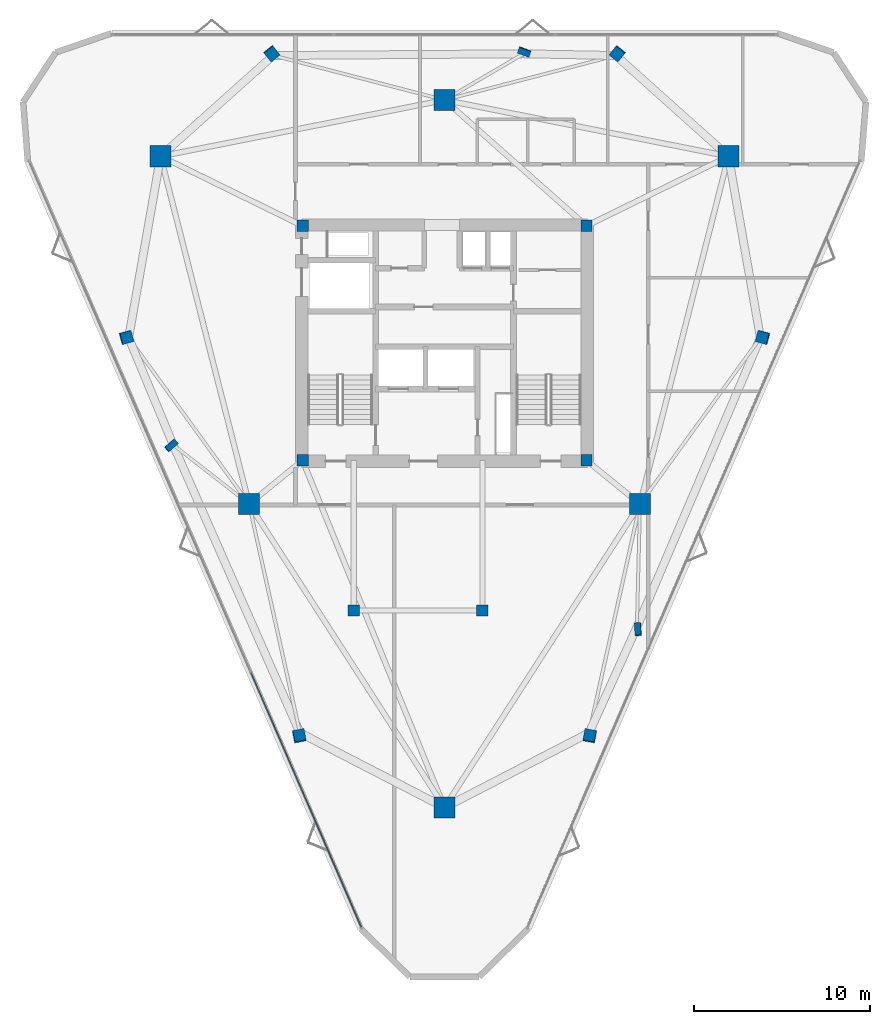
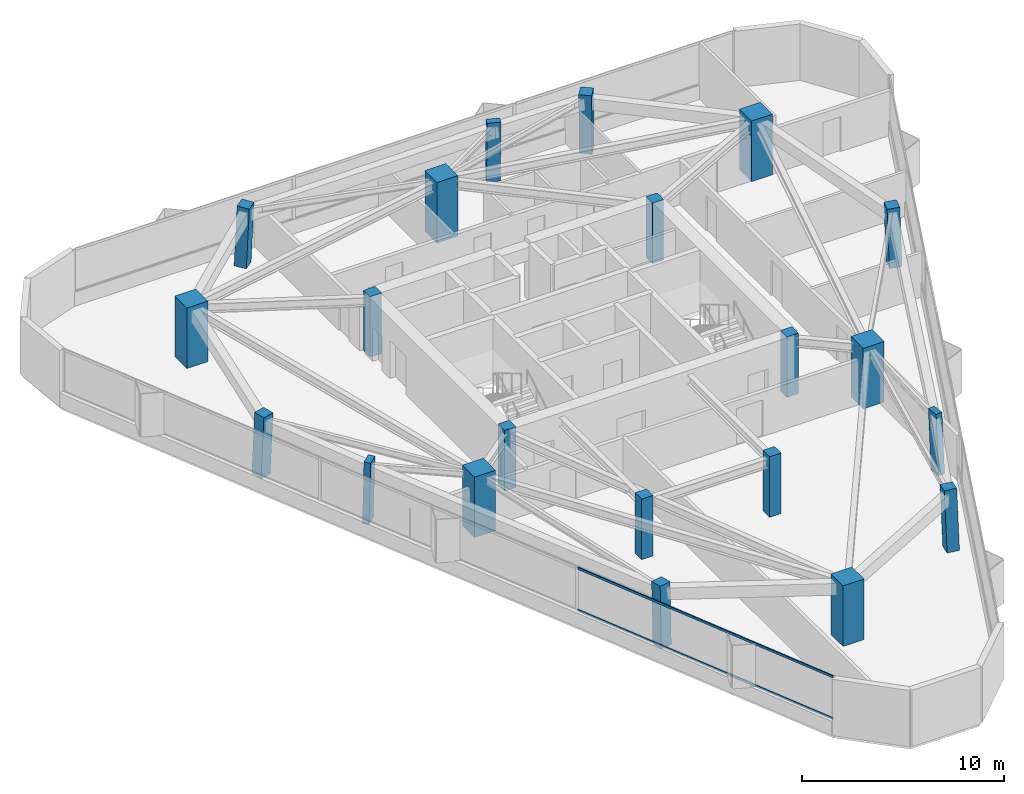
# One storey, part 1 of 11: 21 columns, 2 members, 1 element without a shape of its own.
"""IFC4 building model written with IfcOpenShell, lengths in metres."""

from ifc_helpers import new_model, si_unit, direction, frame, origin, origin_2d, place, context, subcontext, project, spatial, rectangle, extrude, material, layer, layer_set, material_profile, profile_set, type_object, element, aggregate, save


model = new_model("IFC4")

# Units and contexts
model_context = context("Model", 3, precision=1e-05, world=origin(), true_north=direction((0.0, 1.0)))
body_context = subcontext(model_context, "Body", "Model", "MODEL_VIEW")
ifc_project = project(units=[si_unit("LENGTHUNIT", "METRE"), si_unit("AREAUNIT", "SQUARE_METRE"), si_unit("VOLUMEUNIT", "CUBIC_METRE"), si_unit("PLANEANGLEUNIT", "RADIAN"), si_unit("MASSUNIT", "GRAM", prefix="KILO")], contexts=[model_context])

# Site, building, storey
site_placement = place(None, origin())
site = spatial("IfcSite", under=ifc_project, at=site_placement, CompositionType="ELEMENT")
building_placement = place(site_placement, origin())
building = spatial("IfcBuilding", under=site, at=building_placement, Name="Talyreon Biosciences Tower", CompositionType="ELEMENT")
storey_placement = place(building_placement, frame((0.0, 0.0, 238.89990234375)))
storey = spatial("IfcBuildingStorey", under=building, at=storey_placement, Name="L63", CompositionType="ELEMENT", Elevation=238.89990234375)

# Columns
ifc_material_1 = material(Name="Precast concrete C45/55", Category="concrete")
ifc_material_profile_1 = material_profile(ifc_material_1, rectangle(XDim=0.699951171875, YDim=0.35009765625, at=origin_2d()), Name="RC 700x350")
ifc_profile_set_1 = profile_set([ifc_material_profile_1], Name="Precast concrete C45/55")
column_type_1 = type_object("IfcColumnType", Name="FacadePilaster_700x350", PredefinedType="PILASTER", material=ifc_profile_set_1)
column_1_placement = place(storey_placement, frame((76.977783203125, 51.75439453125, 0.003173828125), z_axis=(-0.019611953815, 0.038353752683, 0.999071749637), x_axis=(0.063093438203, -0.997224788222, 0.039521384232)))
element("IfcColumn", 1, at=column_1_placement, inside=storey, type_object=column_type_1, Name="L63 Facade Pilaster PL-SE", PredefinedType="PILASTER", context=body_context, shape_type="SweptSolid", body=[
    extrude(rectangle(XDim=0.699951171875, YDim=0.35009765625, at=origin_2d()), origin(), (0.0, 0.0, 1.0), 3.6474609375),
])
column_2_placement = place(storey_placement, frame((70.528564453125, 84.53466796875, 0.003173828125), z_axis=(-0.01238655289, -0.033544124313, 0.999360478022), x_axis=(-0.9380871136, 0.346399433166, 0.0)))
element("IfcColumn", 2, at=column_2_placement, inside=storey, type_object=column_type_1, Name="L63 Facade Pilaster PL-N", PredefinedType="PILASTER", context=body_context, shape_type="SweptSolid", body=[
    extrude(rectangle(XDim=0.699951171875, YDim=0.35009765625, at=origin_2d()), origin(), (0.0, 0.0, 1.0), 3.646484375),
])
column_3_placement = place(storey_placement, frame((50.49365234375, 62.197998046875, 0.003173828125), z_axis=(0.032006454348, 0.010579539303, 0.999431668614), x_axis=(0.745748338347, 0.665509525874, -0.030927121186)))
element("IfcColumn", 3, at=column_3_placement, inside=storey, type_object=column_type_1, Name="L63 Facade Pilaster PL-SW", PredefinedType="PILASTER", context=body_context, shape_type="SweptSolid", body=[
    extrude(rectangle(XDim=0.699951171875, YDim=0.35009765625, at=origin_2d()), origin(), (0.0, 0.0, 1.0), 3.64599609375),
])
ifc_material_2 = material(Name="Concrete C50/60", Category="concrete")
ifc_material_profile_2 = material_profile(ifc_material_2, rectangle(XDim=1.199951171875, YDim=1.199951171875, at=origin_2d()), Name="RC 1200x1200")
ifc_profile_set_2 = profile_set([ifc_material_profile_2], Name="Concrete C50/60")
column_type_2 = type_object("IfcColumnType", Name="MegaColumn_1200", PredefinedType="COLUMN", material=ifc_profile_set_2)
for number, where, z_axis, x_axis, name in (
    (4, (66.0, 41.6669921875, 0.0), (0.0, 0.0, 1.0), (1.0, 0.0, 0.0), "L63 Composite Mega-Column MC1"),
    (5, (82.102294921875, 78.5986328125, 0.0), (0.0, 0.0, 1.0), (1.0, 0.0, 0.0), "L63 Composite Mega-Column MC2"),
    (6, (49.897705078125, 78.5986328125, 0.0), (0.0, 0.0, 1.0), (1.0, 0.0, 0.0), "L63 Composite Mega-Column MC3"),
    (7, (77.086181640625, 58.88037109375, 0.0), (0.0, 0.0, 1.0), (1.0, 0.0, 0.0), "L63 Composite Mega-Column MC4"),
    (8, (66.0, 81.788818359375, 0.0), (0.0, 0.0, 1.0), (1.0, 0.0, 0.0), "L63 Composite Mega-Column MC5"),
    (9, (54.913818359375, 58.88037109375, 0.0), (0.0, 0.0, 1.0), (1.0, 0.0, 0.0), "L63 Composite Mega-Column MC6"),
):
    element("IfcColumn", number, at=place(storey_placement, frame(where, z_axis=z_axis, x_axis=x_axis)), inside=storey, type_object=column_type_2, Name=name, PredefinedType="COLUMN", context=body_context, shape_type="SweptSolid", body=[
        extrude(rectangle(XDim=1.199951171875, YDim=1.199951171875, at=origin_2d()), origin(), (0.0, 0.0, 1.0), 3.650146484375),
    ])
ifc_material_profile_3 = material_profile(ifc_material_2, rectangle(XDim=0.64990234375, YDim=0.64990234375, at=origin_2d()), Name="RC 650x650")
ifc_profile_set_3 = profile_set([ifc_material_profile_3], Name="Concrete C50/60")
column_type_3 = type_object("IfcColumnType", Name="PerimeterColumn_650", PredefinedType="COLUMN", material=ifc_profile_set_3)
for number, where, z_axis, x_axis, name in (
    (10, (57.949951171875, 61.35009765625, 0.0), (0.0, 0.0, 1.0), (1.0, 0.0, 0.0), "L63 Core Column CC1"),
    (11, (74.050048828125, 61.35009765625, 0.0), (0.0, 0.0, 1.0), (1.0, 0.0, 0.0), "L63 Core Column CC2"),
    (12, (74.050048828125, 74.64990234375, 0.0), (0.0, 0.0, 1.0), (1.0, 0.0, 0.0), "L63 Core Column CC3"),
    (13, (57.949951171875, 74.64990234375, 0.0), (0.0, 0.0, 1.0), (1.0, 0.0, 0.0), "L63 Core Column CC4"),
    (14, (60.85009765625, 52.840087890625, 0.0), (0.0, 0.0, 1.0), (1.0, 0.0, 0.0), "L63 Core Column CSW"),
    (15, (68.14990234375, 52.840087890625, 0.0), (0.0, 0.0, 1.0), (1.0, 0.0, 0.0), "L63 Core Column CSE"),
):
    element("IfcColumn", number, at=place(storey_placement, frame(where, z_axis=z_axis, x_axis=x_axis)), inside=storey, type_object=column_type_3, Name=name, PredefinedType="COLUMN", context=body_context, shape_type="SweptSolid", body=[
        extrude(rectangle(XDim=0.64990234375, YDim=0.64990234375, at=origin_2d()), origin(), (0.0, 0.0, 1.0), 3.650146484375),
    ])
column_4_placement = place(storey_placement, frame((74.244384765625, 45.701904296875, 0.003173828125), z_axis=(-0.012375096162, 0.054517315524, 0.998436136818), x_axis=(-0.185194029451, -0.98136259414, 0.051289670292)))
element("IfcColumn", 16, at=column_4_placement, inside=storey, type_object=column_type_3, Name="L63 Tapering Perimeter Column PC-SE1", PredefinedType="COLUMN", context=body_context, shape_type="SweptSolid", body=[
    extrude(rectangle(XDim=0.64990234375, YDim=0.64990234375, at=origin_2d()), origin(), (0.0, 0.0, 1.0), 3.649658203125),
])
column_5_placement = place(storey_placement, frame((84.056396484375, 68.329833984375, 0.003173828125), z_axis=(-0.039229508262, -0.005623342481, 0.999214403269), x_axis=(0.96391060424, -0.263731590822, 0.036359249662)))
element("IfcColumn", 17, at=column_5_placement, inside=storey, type_object=column_type_3, Name="L63 Tapering Perimeter Column PC-SE2", PredefinedType="COLUMN", context=body_context, shape_type="SweptSolid", body=[
    extrude(rectangle(XDim=0.64990234375, YDim=0.64990234375, at=origin_2d()), origin(), (0.0, 0.0, 1.0), 3.64697265625),
])
for number, where, z_axis, x_axis, name in (
    (18, (75.81201171875, 84.434814453125, 0.003173828125), (-0.026841076243, -0.033534611465, 0.999077067328), (-0.780716755404, 0.624885067698, 0.0), "L63 Tapering Perimeter Column PC-N1"),
    (19, (56.18798828125, 84.434814453125, 0.003173828125), (0.026841076243, -0.033534611465, 0.999077067328), (-0.780716755404, -0.624885067698, 0.0), "L63 Tapering Perimeter Column PC-N2"),
):
    element("IfcColumn", number, at=place(storey_placement, frame(where, z_axis=z_axis, x_axis=x_axis)), inside=storey, type_object=column_type_3, Name=name, PredefinedType="COLUMN", context=body_context, shape_type="SweptSolid", body=[
        extrude(rectangle(XDim=0.64990234375, YDim=0.64990234375, at=origin_2d()), origin(), (0.0, 0.0, 1.0), 3.6474609375),
    ])
column_6_placement = place(storey_placement, frame((47.943603515625, 68.329833984375, 0.003173828125), z_axis=(0.039229508262, -0.005623342481, 0.999214403269), x_axis=(0.96391060424, 0.263731590822, -0.036359249662)))
element("IfcColumn", 20, at=column_6_placement, inside=storey, type_object=column_type_3, Name="L63 Tapering Perimeter Column PC-SW1", PredefinedType="COLUMN", context=body_context, shape_type="SweptSolid", body=[
    extrude(rectangle(XDim=0.64990234375, YDim=0.64990234375, at=origin_2d()), origin(), (0.0, 0.0, 1.0), 3.64697265625),
])
column_7_placement = place(storey_placement, frame((57.755615234375, 45.701904296875, 0.003173828125), z_axis=(0.012375096162, 0.054517315524, 0.998436136818), x_axis=(-0.185194029451, 0.98136259414, -0.051289670292)))
element("IfcColumn", 21, at=column_7_placement, inside=storey, type_object=column_type_3, Name="L63 Tapering Perimeter Column PC-SW2", PredefinedType="COLUMN", context=body_context, shape_type="SweptSolid", body=[
    extrude(rectangle(XDim=0.64990234375, YDim=0.64990234375, at=origin_2d()), origin(), (0.0, 0.0, 1.0), 3.649658203125),
])

# Curtain wall, members
ifc_material_3 = material(Name="Thermally broken aluminium and low-E glazing", Category="aluminium")
ifc_layer = layer(ifc_material_3, 0.175048828125)
ifc_layer_set = layer_set([ifc_layer], Name="Thermally broken aluminium and low-E glazing")
curtain_wall_type = type_object("IfcCurtainWallType", Name="CurtainWall_Zone5CompLab", PredefinedType="NOTDEFINED", material=ifc_layer_set)
curtain_wall_placement = place(storey_placement, origin())
curtain_wall = element("IfcCurtainWall", 22, at=curtain_wall_placement, inside=storey, type_object=curtain_wall_type, Name="L63 Unitised Curtain Wall FCW-L63-00", PredefinedType="NOTDEFINED")
ifc_material_4 = material(Name="Anodised thermally broken aluminium", Category="aluminium")
ifc_material_profile_4 = material_profile(ifc_material_4, rectangle(XDim=0.06494140625, YDim=0.139892578125, at=origin_2d()), Name="ALUM TRANSOM 65x140")
ifc_profile_set_4 = profile_set([ifc_material_profile_4], Name="Anodised thermally broken aluminium")
member_type = type_object("IfcMemberType", Name="CWTransom_65x140", PredefinedType="USERDEFINED", material=ifc_profile_set_4)
member_1_placement = place(storey_placement, frame((61.27685546875, 34.892333984375, 0.842529296875), z_axis=(-0.397835044798, 0.917456962004, 0.0), x_axis=(-0.917456962004, -0.397835044798, 0.0)))
member_1 = element("IfcMember", 23, at=member_1_placement, type_object=member_type, Name="CW6 transom 1.1", ObjectType="TRANSOM", PredefinedType="USERDEFINED", context=body_context, shape_type="SweptSolid", body=[
    extrude(rectangle(XDim=0.06494140625, YDim=0.139892578125, at=origin_2d()), origin(), (0.0, 0.0, 1.0), 15.71240234375),
])
member_2_placement = place(storey_placement, frame((61.27685546875, 34.892333984375, 3.36767578125), z_axis=(-0.397835044798, 0.917456962004, 0.0), x_axis=(-0.917456962004, -0.397835044798, 0.0)))
member_2 = element("IfcMember", 24, at=member_2_placement, type_object=member_type, Name="CW6 transom 1.2", ObjectType="TRANSOM", PredefinedType="USERDEFINED", context=body_context, shape_type="SweptSolid", body=[
    extrude(rectangle(XDim=0.06494140625, YDim=0.139892578125, at=origin_2d()), origin(), (0.0, 0.0, 1.0), 15.71240234375),
])
aggregate(curtain_wall, [member_1, member_2])

save(model, "model.ifc")
